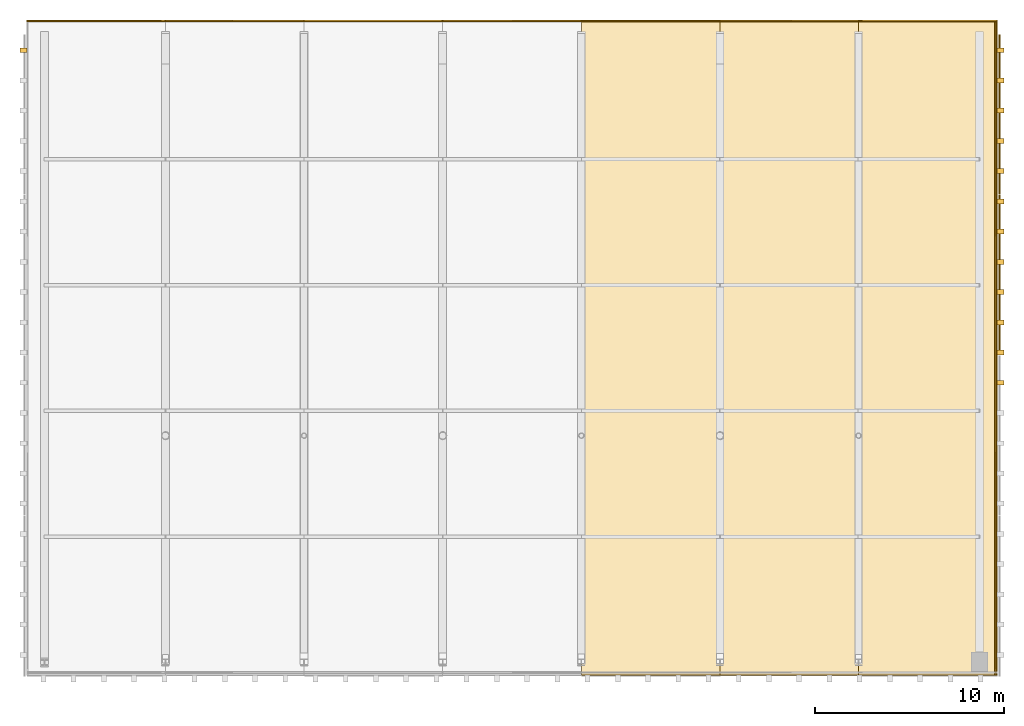
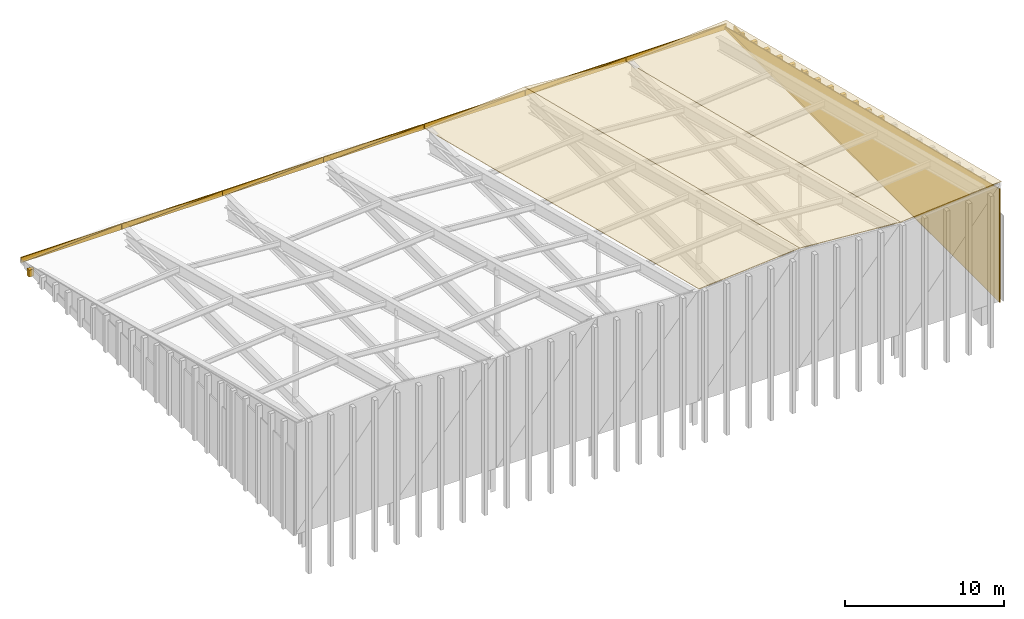
# One storey, part 8 of 8: 34 coverings.
"""IFC4 building model written with IfcOpenShell, lengths in metres."""

from ifc_helpers import new_model, si_unit, direction, frame, origin, origin_2d, place, context, subcontext, project, spatial, polyline, rectangle, outline, extrude, material, layer, layer_set, type_object, element, save


model = new_model("IFC4")

# Units and contexts
model_context = context("Model", 3, precision=1e-05, world=origin(), true_north=direction((0.0, 1.0)))
body_context = subcontext(model_context, "Body", "Model", "MODEL_VIEW")
ifc_project = project(units=[si_unit("LENGTHUNIT", "METRE"), si_unit("AREAUNIT", "SQUARE_METRE"), si_unit("VOLUMEUNIT", "CUBIC_METRE"), si_unit("PLANEANGLEUNIT", "RADIAN"), si_unit("MASSUNIT", "GRAM", prefix="KILO")], contexts=[model_context])

# Site, building, storey
site_placement = place(None, origin())
site = spatial("IfcSite", under=ifc_project, at=site_placement, CompositionType="ELEMENT")
building_placement = place(site_placement, origin())
building = spatial("IfcBuilding", under=site, at=building_placement, Name="Trimount Lyric Opera House", CompositionType="ELEMENT")
storey_placement = place(building_placement, frame((0.0, 0.0, 34.199951171875)))
storey = spatial("IfcBuildingStorey", under=building, at=storey_placement, Name="RF", CompositionType="ELEMENT", Elevation=34.199951171875)

# Coverings
ifc_material_1 = material(Name="Extruded Brushed Aluminium Vertical Shed Rib", Category="aluminium")
ifc_layer_1 = layer(ifc_material_1, 0.260009765625)
ifc_layer_set_1 = layer_set([ifc_layer_1], Name="CLD-RIB1")
covering_type_1 = type_object("IfcCoveringType", Name="CLD-RIB1", PredefinedType="CLADDING", material=ifc_layer_set_1)
covering_1_placement = place(storey_placement, frame((63.14990234375, 116.39990234375, -0.02001953125), z_axis=(0.0, 0.0, 1.0), x_axis=(1.0, 0.0, 0.0)))
element("IfcCovering", 1, at=covering_1_placement, inside=storey, type_object=covering_type_1, Name="Fly-tower W crown vertical rib 060", PredefinedType="CLADDING", context=body_context, shape_type="SweptSolid", body=[
    extrude(rectangle(XDim=0.3798828125, YDim=0.260009765625, at=origin_2d()), origin(), (0.0, 0.0, 1.0), 0.52880859375),
])
covering_2_placement = place(storey_placement, frame((114.85009765625, 98.800048828125, -0.02001953125), z_axis=(0.0, 0.0, 1.0), x_axis=(1.0, 0.0, 0.0)))
element("IfcCovering", 2, at=covering_2_placement, inside=storey, type_object=covering_type_1, Name="Fly-tower E crown vertical rib 098", PredefinedType="CLADDING", context=body_context, shape_type="SweptSolid", body=[
    extrude(rectangle(XDim=0.3798828125, YDim=0.260009765625, at=origin_2d()), origin(), (0.0, 0.0, 1.0), 4.80712890625),
])
covering_3_placement = place(storey_placement, frame((114.85009765625, 100.39990234375, -0.02001953125), z_axis=(0.0, 0.0, 1.0), x_axis=(1.0, 0.0, 0.0)))
element("IfcCovering", 3, at=covering_3_placement, inside=storey, type_object=covering_type_1, Name="Fly-tower E crown vertical rib 100", PredefinedType="CLADDING", context=body_context, shape_type="SweptSolid", body=[
    extrude(rectangle(XDim=0.3798828125, YDim=0.260009765625, at=origin_2d()), origin(), (0.0, 0.0, 1.0), 4.418212890625),
])
covering_4_placement = place(storey_placement, frame((114.85009765625, 102.0, -0.02001953125), z_axis=(0.0, 0.0, 1.0), x_axis=(1.0, 0.0, 0.0)))
element("IfcCovering", 4, at=covering_4_placement, inside=storey, type_object=covering_type_1, Name="Fly-tower E crown vertical rib 102", PredefinedType="CLADDING", context=body_context, shape_type="SweptSolid", body=[
    extrude(rectangle(XDim=0.3798828125, YDim=0.260009765625, at=origin_2d()), origin(), (0.0, 0.0, 1.0), 4.029296875),
])
covering_5_placement = place(storey_placement, frame((114.85009765625, 103.60009765625, -0.02001953125), z_axis=(0.0, 0.0, 1.0), x_axis=(1.0, 0.0, 0.0)))
element("IfcCovering", 5, at=covering_5_placement, inside=storey, type_object=covering_type_1, Name="Fly-tower E crown vertical rib 104", PredefinedType="CLADDING", context=body_context, shape_type="SweptSolid", body=[
    extrude(rectangle(XDim=0.3798828125, YDim=0.260009765625, at=origin_2d()), origin(), (0.0, 0.0, 1.0), 3.640380859375),
])
covering_6_placement = place(storey_placement, frame((114.85009765625, 105.199951171875, -0.02001953125), z_axis=(0.0, 0.0, 1.0), x_axis=(1.0, 0.0, 0.0)))
element("IfcCovering", 6, at=covering_6_placement, inside=storey, type_object=covering_type_1, Name="Fly-tower E crown vertical rib 106", PredefinedType="CLADDING", context=body_context, shape_type="SweptSolid", body=[
    extrude(rectangle(XDim=0.3798828125, YDim=0.260009765625, at=origin_2d()), origin(), (0.0, 0.0, 1.0), 3.25146484375),
])
covering_7_placement = place(storey_placement, frame((114.85009765625, 106.800048828125, -0.02001953125), z_axis=(0.0, 0.0, 1.0), x_axis=(1.0, 0.0, 0.0)))
element("IfcCovering", 7, at=covering_7_placement, inside=storey, type_object=covering_type_1, Name="Fly-tower E crown vertical rib 108", PredefinedType="CLADDING", context=body_context, shape_type="SweptSolid", body=[
    extrude(rectangle(XDim=0.3798828125, YDim=0.260009765625, at=origin_2d()), origin(), (0.0, 0.0, 1.0), 2.862548828125),
])
covering_8_placement = place(storey_placement, frame((114.85009765625, 108.39990234375, -0.02001953125), z_axis=(0.0, 0.0, 1.0), x_axis=(1.0, 0.0, 0.0)))
element("IfcCovering", 8, at=covering_8_placement, inside=storey, type_object=covering_type_1, Name="Fly-tower E crown vertical rib 110", PredefinedType="CLADDING", context=body_context, shape_type="SweptSolid", body=[
    extrude(rectangle(XDim=0.3798828125, YDim=0.260009765625, at=origin_2d()), origin(), (0.0, 0.0, 1.0), 2.4736328125),
])
covering_9_placement = place(storey_placement, frame((114.85009765625, 110.0, -0.02001953125), z_axis=(0.0, 0.0, 1.0), x_axis=(1.0, 0.0, 0.0)))
element("IfcCovering", 9, at=covering_9_placement, inside=storey, type_object=covering_type_1, Name="Fly-tower E crown vertical rib 112", PredefinedType="CLADDING", context=body_context, shape_type="SweptSolid", body=[
    extrude(rectangle(XDim=0.3798828125, YDim=0.260009765625, at=origin_2d()), origin(), (0.0, 0.0, 1.0), 2.084716796875),
])
covering_10_placement = place(storey_placement, frame((114.85009765625, 111.60009765625, -0.02001953125), z_axis=(0.0, 0.0, 1.0), x_axis=(1.0, 0.0, 0.0)))
element("IfcCovering", 10, at=covering_10_placement, inside=storey, type_object=covering_type_1, Name="Fly-tower E crown vertical rib 114", PredefinedType="CLADDING", context=body_context, shape_type="SweptSolid", body=[
    extrude(rectangle(XDim=0.3798828125, YDim=0.260009765625, at=origin_2d()), origin(), (0.0, 0.0, 1.0), 1.69580078125),
])
covering_11_placement = place(storey_placement, frame((114.85009765625, 113.199951171875, -0.02001953125), z_axis=(0.0, 0.0, 1.0), x_axis=(1.0, 0.0, 0.0)))
element("IfcCovering", 11, at=covering_11_placement, inside=storey, type_object=covering_type_1, Name="Fly-tower E crown vertical rib 116", PredefinedType="CLADDING", context=body_context, shape_type="SweptSolid", body=[
    extrude(rectangle(XDim=0.3798828125, YDim=0.260009765625, at=origin_2d()), origin(), (0.0, 0.0, 1.0), 1.306884765625),
])
covering_12_placement = place(storey_placement, frame((114.85009765625, 114.800048828125, -0.02001953125), z_axis=(0.0, 0.0, 1.0), x_axis=(1.0, 0.0, 0.0)))
element("IfcCovering", 12, at=covering_12_placement, inside=storey, type_object=covering_type_1, Name="Fly-tower E crown vertical rib 118", PredefinedType="CLADDING", context=body_context, shape_type="SweptSolid", body=[
    extrude(rectangle(XDim=0.3798828125, YDim=0.260009765625, at=origin_2d()), origin(), (0.0, 0.0, 1.0), 0.91796875),
])
covering_13_placement = place(storey_placement, frame((114.85009765625, 116.39990234375, -0.02001953125), z_axis=(0.0, 0.0, 1.0), x_axis=(1.0, 0.0, 0.0)))
element("IfcCovering", 13, at=covering_13_placement, inside=storey, type_object=covering_type_1, Name="Fly-tower E crown vertical rib 120", PredefinedType="CLADDING", context=body_context, shape_type="SweptSolid", body=[
    extrude(rectangle(XDim=0.3798828125, YDim=0.260009765625, at=origin_2d()), origin(), (0.0, 0.0, 1.0), 0.52880859375),
])
ifc_material_2 = material(Name="Anodised Aluminium Acoustic Shed Cladding", Category="aluminium")
ifc_layer_2 = layer(ifc_material_2, 0.074951171875)
ifc_layer_set_2 = layer_set([ifc_layer_2], Name="CLD-SHED1")
covering_type_2 = type_object("IfcCoveringType", Name="CLD-SHED1", PredefinedType="CLADDING", material=ifc_layer_set_2)
covering_14_placement = place(storey_placement, frame((63.330078125, 117.919921875, -0.050048828125), z_axis=(0.0, -1.0, 0.0), x_axis=(1.0, 0.0, 0.0)))
element("IfcCovering", 14, at=covering_14_placement, inside=storey, type_object=covering_type_2, Name="RF fly-tower N folded cladding 1.1", PredefinedType="CLADDING", context=body_context, shape_type="SweptSolid", body=[
    extrude(outline(polyline([(0.0, 0.0), (7.317138671875, 0.0), (7.317138671875, 0.43017578125), (0.0, 0.0)])), origin(), (0.0, 0.0, -1.0), 0.074951171875),
])
covering_15_placement = place(storey_placement, frame((63.330078125, 117.919921875, -0.050048828125), z_axis=(0.0, -1.0, 0.0), x_axis=(0.998276325165, 0.0, 0.058688828699)))
element("IfcCovering", 15, at=covering_15_placement, inside=storey, type_object=covering_type_2, Name="RF fly-tower N folded cladding 1.2", PredefinedType="CLADDING", context=body_context, shape_type="SweptSolid", body=[
    extrude(outline(polyline([(0.0, 0.0), (7.329772816821998, 0.0), (0.02348412847604316, 0.399456761949767), (0.0, 0.0)])), origin(), (0.0, 0.0, -1.0), 0.074951171875),
])
covering_16_placement = place(storey_placement, frame((70.667236328125, 117.919921875, -0.050048828125), z_axis=(0.0, -1.0, 0.0), x_axis=(1.0, 0.0, 0.0)))
element("IfcCovering", 16, at=covering_16_placement, inside=storey, type_object=covering_type_2, Name="RF fly-tower N folded cladding 2.1", PredefinedType="CLADDING", context=body_context, shape_type="SweptSolid", body=[
    extrude(outline(polyline([(0.0, 0.0), (7.317138671875, 0.0), (7.317138671875, 0.400146484375), (0.0, 0.0)])), origin(), (0.0, 0.0, -1.0), 0.074951171875),
])
covering_17_placement = place(storey_placement, frame((70.667236328125, 117.919921875, -0.050048828125), z_axis=(0.0, -1.0, 0.0), x_axis=(0.99850805545, 0.0, 0.054604607884)))
element("IfcCovering", 17, at=covering_17_placement, inside=storey, type_object=covering_type_2, Name="RF fly-tower N folded cladding 2.2", PredefinedType="CLADDING", context=body_context, shape_type="SweptSolid", body=[
    extrude(outline(polyline([(0.0, 0.0), (7.328071748584774, 0.0), (0.023489579856215193, 0.42953398283747746), (0.0, 0.0)])), origin(), (0.0, 0.0, -1.0), 0.074951171875),
])
covering_18_placement = place(storey_placement, frame((78.00439453125, 117.919921875, -0.050048828125), z_axis=(0.0, -1.0, 0.0), x_axis=(1.0, 0.0, 0.0)))
element("IfcCovering", 18, at=covering_18_placement, inside=storey, type_object=covering_type_2, Name="RF fly-tower N folded cladding 3.1", PredefinedType="CLADDING", context=body_context, shape_type="SweptSolid", body=[
    extrude(outline(polyline([(0.0, 0.0), (7.317138671875, 0.0), (7.317138671875, 0.43017578125), (0.0, 0.0)])), origin(), (0.0, 0.0, -1.0), 0.074951171875),
])
covering_19_placement = place(storey_placement, frame((78.00439453125, 117.919921875, -0.050048828125), z_axis=(0.0, -1.0, 0.0), x_axis=(0.998276325165, 0.0, 0.058688828699)))
element("IfcCovering", 19, at=covering_19_placement, inside=storey, type_object=covering_type_2, Name="RF fly-tower N folded cladding 3.2", PredefinedType="CLADDING", context=body_context, shape_type="SweptSolid", body=[
    extrude(outline(polyline([(0.0, 0.0), (7.329772816821998, 0.0), (0.02348412847604316, 0.399456761949767), (0.0, 0.0)])), origin(), (0.0, 0.0, -1.0), 0.074951171875),
])
covering_20_placement = place(storey_placement, frame((85.34130859375, 117.919921875, -0.050048828125), z_axis=(0.0, -1.0, 0.0), x_axis=(1.0, 0.0, 0.0)))
element("IfcCovering", 20, at=covering_20_placement, inside=storey, type_object=covering_type_2, Name="RF fly-tower N folded cladding 4.1", PredefinedType="CLADDING", context=body_context, shape_type="SweptSolid", body=[
    extrude(outline(polyline([(0.0, 0.0), (7.3173828125, 0.0), (7.3173828125, 0.400146484375), (0.0, 0.0)])), origin(), (0.0, 0.0, -1.0), 0.074951171875),
])
covering_21_placement = place(storey_placement, frame((85.34130859375, 117.919921875, -0.050048828125), z_axis=(0.0, -1.0, 0.0), x_axis=(0.998508154781, 0.0, 0.054602791462)))
element("IfcCovering", 21, at=covering_21_placement, inside=storey, type_object=covering_type_2, Name="RF fly-tower N folded cladding 4.2", PredefinedType="CLADDING", context=body_context, shape_type="SweptSolid", body=[
    extrude(outline(polyline([(0.0, 0.0), (7.328315524977625, 0.0), (0.02348879847541528, 0.4295340255675087), (0.0, 0.0)])), origin(), (0.0, 0.0, -1.0), 0.074951171875),
])
covering_22_placement = place(storey_placement, frame((92.678466796875, 117.919921875, -0.050048828125), z_axis=(0.0, -1.0, 0.0), x_axis=(1.0, 0.0, 0.0)))
element("IfcCovering", 22, at=covering_22_placement, inside=storey, type_object=covering_type_2, Name="RF fly-tower N folded cladding 5.1", PredefinedType="CLADDING", context=body_context, shape_type="SweptSolid", body=[
    extrude(outline(polyline([(0.0, 0.0), (7.317138671875, 0.0), (7.317138671875, 0.43017578125), (0.0, 0.0)])), origin(), (0.0, 0.0, -1.0), 0.074951171875),
])
covering_23_placement = place(storey_placement, frame((92.678466796875, 117.919921875, -0.050048828125), z_axis=(0.0, -1.0, 0.0), x_axis=(0.998276325165, 0.0, 0.058688828699)))
element("IfcCovering", 23, at=covering_23_placement, inside=storey, type_object=covering_type_2, Name="RF fly-tower N folded cladding 5.2", PredefinedType="CLADDING", context=body_context, shape_type="SweptSolid", body=[
    extrude(outline(polyline([(0.0, 0.0), (7.329772816821998, 0.0), (0.02348412847604316, 0.399456761949767), (0.0, 0.0)])), origin(), (0.0, 0.0, -1.0), 0.074951171875),
])
covering_24_placement = place(storey_placement, frame((100.015625, 117.919921875, -0.050048828125), z_axis=(0.0, -1.0, 0.0), x_axis=(1.0, 0.0, 0.0)))
element("IfcCovering", 24, at=covering_24_placement, inside=storey, type_object=covering_type_2, Name="RF fly-tower N folded cladding 6.1", PredefinedType="CLADDING", context=body_context, shape_type="SweptSolid", body=[
    extrude(outline(polyline([(0.0, 0.0), (7.317138671875, 0.0), (7.317138671875, 0.400146484375), (0.0, 0.0)])), origin(), (0.0, 0.0, -1.0), 0.074951171875),
])
covering_25_placement = place(storey_placement, frame((100.015625, 117.919921875, -0.050048828125), z_axis=(0.0, -1.0, 0.0), x_axis=(0.99850805545, 0.0, 0.054604607884)))
element("IfcCovering", 25, at=covering_25_placement, inside=storey, type_object=covering_type_2, Name="RF fly-tower N folded cladding 6.2", PredefinedType="CLADDING", context=body_context, shape_type="SweptSolid", body=[
    extrude(outline(polyline([(0.0, 0.0), (7.328071748584774, 0.0), (0.023489579856215193, 0.42953398283747746), (0.0, 0.0)])), origin(), (0.0, 0.0, -1.0), 0.074951171875),
])
covering_26_placement = place(storey_placement, frame((107.352783203125, 117.919921875, -0.050048828125), z_axis=(0.0, -1.0, 0.0), x_axis=(1.0, 0.0, 0.0)))
element("IfcCovering", 26, at=covering_26_placement, inside=storey, type_object=covering_type_2, Name="RF fly-tower N folded cladding 7.1", PredefinedType="CLADDING", context=body_context, shape_type="SweptSolid", body=[
    extrude(outline(polyline([(0.0, 0.0), (7.317138671875, 0.0), (7.317138671875, 0.43017578125), (0.0, 0.0)])), origin(), (0.0, 0.0, -1.0), 0.074951171875),
])
covering_27_placement = place(storey_placement, frame((107.352783203125, 117.919921875, -0.050048828125), z_axis=(0.0, -1.0, 0.0), x_axis=(0.998276325165, 0.0, 0.058688828699)))
element("IfcCovering", 27, at=covering_27_placement, inside=storey, type_object=covering_type_2, Name="RF fly-tower N folded cladding 7.2", PredefinedType="CLADDING", context=body_context, shape_type="SweptSolid", body=[
    extrude(outline(polyline([(0.0, 0.0), (7.329772816821998, 0.0), (0.02348412847604316, 0.399456761949767), (0.0, 0.0)])), origin(), (0.0, 0.0, -1.0), 0.074951171875),
])
covering_28_placement = place(storey_placement, frame((114.6201171875, 83.320068359375, -0.050048828125), z_axis=(1.0, 0.0, 0.0), x_axis=(0.0, 1.0, 0.0)))
element("IfcCovering", 28, at=covering_28_placement, inside=storey, type_object=covering_type_2, Name="RF fly-tower E full raked gable cladding 1", PredefinedType="CLADDING", context=body_context, shape_type="SweptSolid", body=[
    extrude(outline(polyline([(0.0, 0.0), (34.679931640625, 0.0), (34.679931640625, 0.22998046875), (0.0, 0.0)])), origin(), (0.0, 0.0, -1.0), 0.074951171875),
])
covering_29_placement = place(storey_placement, frame((114.6201171875, 83.320068359375, -0.050048828125), z_axis=(1.0, 0.0, 0.0), x_axis=(0.0, 0.999978012233, 0.006631368665)))
element("IfcCovering", 29, at=covering_29_placement, inside=storey, type_object=covering_type_2, Name="RF fly-tower E full raked gable cladding 2", PredefinedType="CLADDING", context=body_context, shape_type="SweptSolid", body=[
    extrude(outline(polyline([(0.0, 0.0), (34.680694191645436, 0.0), (0.0578917189283117, 8.729788515974256), (0.0, 0.0)])), origin(), (0.0, 0.0, -1.0), 0.074951171875),
])
covering_30_placement = place(storey_placement, frame((114.802490234375, 104.5, 0.0), z_axis=(0.0, 0.0, 1.0), x_axis=(1.0, 0.0, 0.0)))
element("IfcCovering", 30, at=covering_30_placement, inside=storey, type_object=covering_type_2, Name="RF fly-tower E gable cladding 3", PredefinedType="CLADDING", context=body_context, shape_type="SweptSolid", body=[
    extrude(rectangle(XDim=0.074951171875, YDim=8.449951171875, at=origin_2d()), origin(), (0.0, 0.0, 1.0), 2.450927734375),
])
covering_31_placement = place(storey_placement, frame((114.802490234375, 113.0, 0.0), z_axis=(0.0, 0.0, 1.0), x_axis=(1.0, 0.0, 0.0)))
element("IfcCovering", 31, at=covering_31_placement, inside=storey, type_object=covering_type_2, Name="RF fly-tower E gable cladding 4", PredefinedType="CLADDING", context=body_context, shape_type="SweptSolid", body=[
    extrude(rectangle(XDim=0.074951171875, YDim=8.449951171875, at=origin_2d()), origin(), (0.0, 0.0, 1.0), 0.60009765625),
])
ifc_material_3 = material(Name="Zinc-Titanium Standing-Seam Acoustic Roofing")
ifc_layer_3 = layer(ifc_material_3, 0.044921875)
ifc_layer_set_3 = layer_set([ifc_layer_3], Name="RFG-SHED1")
covering_type_3 = type_object("IfcCoveringType", Name="RFG-SHED1", PredefinedType="ROOFING", material=ifc_layer_set_3)
covering_32_placement = place(storey_placement, frame((92.66845703125, 83.320068359375, 8.671142578125), z_axis=(-0.07516726513, 0.240799461316, 0.967659806793), x_axis=(0.996996612664, 3.865045e-06, 0.077445169771)))
element("IfcCovering", 32, at=covering_32_placement, inside=storey, type_object=covering_type_3, Name="Standing-seam zinc-titanium roofing on RF-SLAB-N-05", PredefinedType="ROOFING", context=body_context, shape_type="SweptSolid", body=[
    extrude(outline(polyline([(0.0, 0.0), (7.3592520084588475, 2.7755575615628914e-17), (6.691043308453513, 35.731303265836665), (-0.6682276075174852, 35.73136187827265), (0.0, 0.0)])), origin(), (0.0, 0.0, -1.0), 0.044921875),
])
covering_33_placement = place(storey_placement, frame((100.005615234375, 83.320068359375, 9.240966796875), z_axis=(0.07516726513, 0.240799461316, 0.967659806793), x_axis=(0.996996612664, -3.865045e-06, -0.077445169771)))
element("IfcCovering", 33, at=covering_33_placement, inside=storey, type_object=covering_type_3, Name="Standing-seam zinc-titanium roofing on RF-SLAB-N-06", PredefinedType="ROOFING", context=body_context, shape_type="SweptSolid", body=[
    extrude(outline(polyline([(0.0, 0.0), (7.3592520084588475, -2.7755575615628914e-17), (8.027479615976333, 35.73136187827265), (0.6682087000053343, 35.731303265836665), (0.0, 0.0)])), origin(), (0.0, 0.0, -1.0), 0.044921875),
])
covering_34_placement = place(storey_placement, frame((107.3427734375, 83.320068359375, 8.671142578125), z_axis=(-0.07516726513, 0.240799461316, 0.967659806793), x_axis=(0.996996612664, 3.865045e-06, 0.077445169771)))
element("IfcCovering", 34, at=covering_34_placement, inside=storey, type_object=covering_type_3, Name="Standing-seam zinc-titanium roofing on RF-SLAB-N-07", PredefinedType="ROOFING", context=body_context, shape_type="SweptSolid", body=[
    extrude(outline(polyline([(0.0, 0.0), (7.3592520084588475, 2.7755575615628914e-17), (6.691043308453513, 35.731303265836665), (-0.6682276075174852, 35.73136187827265), (0.0, 0.0)])), origin(), (0.0, 0.0, -1.0), 0.044921875),
])

save(model, "model.ifc")
